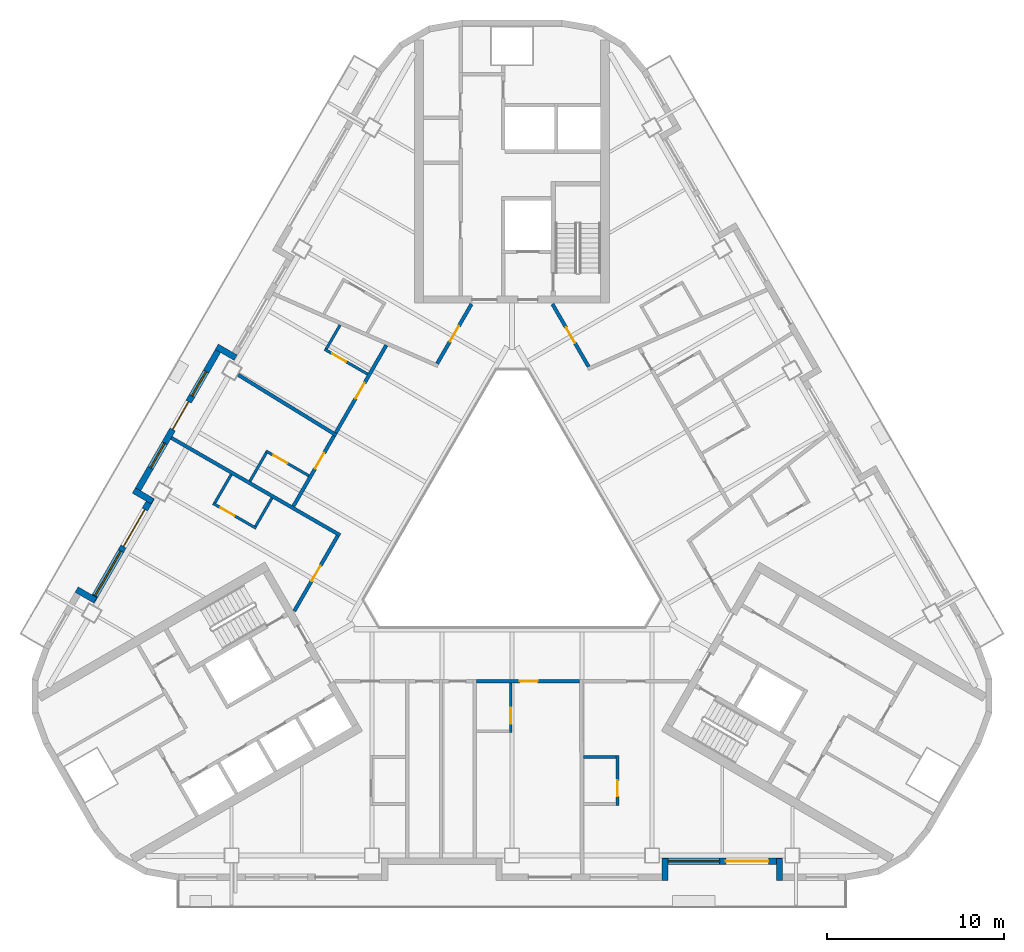
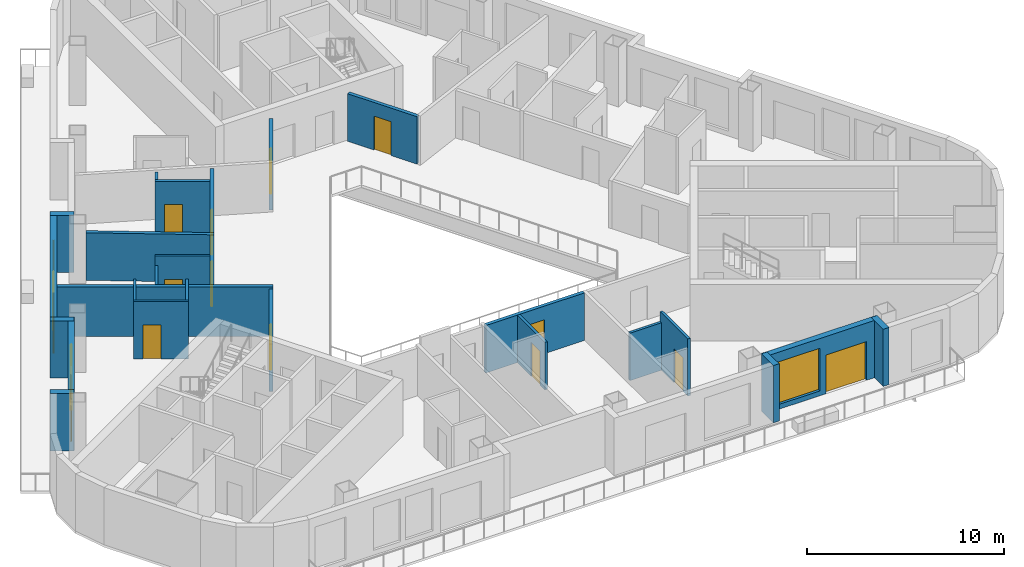
# One storey, part 4 of 14: 26 walls, 14 doors, 4 windows, 18 openings.
"""IFC4 building model written with IfcOpenShell, lengths in metres."""

from ifc_helpers import new_model, si_unit, direction, frame, frame_2d, origin, place, context, subcontext, project, spatial, rectangle, extrude, material, layer, layer_set, type_object, element, fill, save


model = new_model("IFC4")

# Units and contexts
model_context = context("Model", 3, precision=1e-05, world=origin(), true_north=direction((0.0, 1.0)))
body_context = subcontext(model_context, "Body", "Model", "MODEL_VIEW")
ifc_project = project(units=[si_unit("LENGTHUNIT", "METRE"), si_unit("AREAUNIT", "SQUARE_METRE"), si_unit("VOLUMEUNIT", "CUBIC_METRE"), si_unit("PLANEANGLEUNIT", "RADIAN"), si_unit("MASSUNIT", "GRAM", prefix="KILO")], contexts=[model_context])

# Site, building, storey
site_placement = place(None, origin())
site = spatial("IfcSite", under=ifc_project, at=site_placement, CompositionType="ELEMENT")
building_placement = place(site_placement, origin())
building = spatial("IfcBuilding", under=site, at=building_placement, Name="Apuvela Tower Hotel", CompositionType="ELEMENT")
storey_placement = place(building_placement, frame((0.0, 0.0, 179.89990234375)))
storey = spatial("IfcBuildingStorey", under=building, at=storey_placement, Name="L43", CompositionType="ELEMENT", Elevation=179.89990234375)

# Wall
ifc_material_1 = material(Name="Concrete C40/50, dark pigmented precast panel", Category="concrete")
ifc_layer_1 = layer(ifc_material_1, 0.35009765625)
ifc_layer_set_1 = layer_set([ifc_layer_1], Name="ENV-WALL-350")
wall_type_1 = type_object("IfcWallType", Name="ENV-WALL-350", PredefinedType="SOLIDWALL", material=ifc_layer_set_1)
wall_1_placement = place(storey_placement, frame((-15.580810546875, 9.8330078125, 0.0), z_axis=(0.0, 0.0, 1.0), x_axis=(-0.866055662726, 0.499947586314, 0.0)))
element("IfcWall", 1, at=wall_1_placement, inside=storey, type_object=wall_type_1, Name="External wall L43-04", PredefinedType="SOLIDWALL", context=body_context, shape_type="SweptSolid", body=[
    extrude(rectangle(XDim=1.220458984375, YDim=0.35009765625, at=frame_2d((0.6103515625, 0.0))), origin(), (0.0, 0.0, 1.0), 3.550048828125),
])

# Wall, openings, door, windows
wall_2_placement = place(storey_placement, frame((-16.3984375, 10.507080078125, 0.0), z_axis=(0.0, 0.0, 1.0), x_axis=(-0.499999142773, -0.866025898704, 0.0)))
wall_2 = element("IfcWall", 2, at=wall_2_placement, inside=storey, type_object=wall_type_1, Name="External wall L43-05", PredefinedType="SOLIDWALL", context=body_context, shape_type="SweptSolid", body=[
    extrude(rectangle(XDim=9.7001953125, YDim=0.35009765625, at=frame_2d((4.85009765625, 0.0))), origin(), (0.0, 0.0, 1.0), 3.550048828125),
])
opening_1_placement = place(wall_2_placement, frame((3.64990234375, 0.0, 0.0)))
opening_1 = element("IfcOpeningElement", 3, at=opening_1_placement, cuts=wall_2, Name="Opening BD18", PredefinedType="OPENING", context=body_context, shape_type="SweptSolid", body=[
    extrude(rectangle(XDim=1.800048828125, YDim=2.39990234375, at=frame_2d((0.89990234375, 1.199951171875))), frame((0.0, 0.18505859375, 0.0), z_axis=(0.0, -1.0, 0.0), x_axis=(1.0, 0.0, 0.0)), (0.0, 0.0, 1.0), 0.3701171875),
])
opening_2_placement = place(wall_2_placement, frame((1.67529296875, 0.0, 0.300048828125)))
opening_2 = element("IfcOpeningElement", 4, at=opening_2_placement, cuts=wall_2, Name="Opening WN16", PredefinedType="OPENING", context=body_context, shape_type="SweptSolid", body=[
    extrude(rectangle(XDim=1.60009765625, YDim=2.64990234375, at=frame_2d((0.800048828125, 1.324951171875))), frame((0.0, 0.18505859375, 0.0), z_axis=(0.0, -1.0, 0.0), x_axis=(1.0, 0.0, 0.0)), (0.0, 0.0, 1.0), 0.3701171875),
])
opening_3_placement = place(wall_2_placement, frame((6.349853515625, 0.0, 0.300048828125)))
opening_3 = element("IfcOpeningElement", 5, at=opening_3_placement, cuts=wall_2, Name="Opening WN16", PredefinedType="OPENING", context=body_context, shape_type="SweptSolid", body=[
    extrude(rectangle(XDim=1.60009765625, YDim=2.64990234375, at=frame_2d((0.800048828125, 1.324951171875))), frame((0.0, 0.18505859375, 0.0), z_axis=(0.0, -1.0, 0.0), x_axis=(1.0, 0.0, 0.0)), (0.0, 0.0, 1.0), 0.3701171875),
])
ifc_material_2 = material(Name="Aluminium 6063-T6, dark bronze anodised frame with dark tinted laminated glass", Category="aluminium")
door_type_1 = type_object("IfcDoorType", Name="ENV-DOOR-BALCONY-1800x2400", OperationType="SLIDING_TO_LEFT", PredefinedType="DOOR", material=ifc_material_2)
door_1_placement = place(opening_1_placement, frame((1.800048828125, 0.0, 0.0), z_axis=(0.0, 0.0, 1.0), x_axis=(-1.0, 0.0, 0.0)))
door_1 = element("IfcDoor", 6, at=door_1_placement, inside=storey, type_object=door_type_1, Name="Balcony door BD18", OperationType="SLIDING_TO_LEFT", OverallHeight=2.39990234375, OverallWidth=1.800048828125, PredefinedType="DOOR", context=body_context, shape_type="SweptSolid", body=[
    extrude(rectangle(XDim=1.800048828125, YDim=2.39990234375, at=frame_2d((0.89990234375, 1.199951171875))), frame((0.0, 0.02490234375, 0.0), z_axis=(0.0, -1.0, 0.0), x_axis=(1.0, 0.0, 0.0)), (0.0, 0.0, 1.0), 0.050048828125),
])
fill(opening_1, door_1)
ifc_material_3 = material(Name="Glass, dark tinted laminated insulated glazing unit", Category="glass")
window_type_1 = type_object("IfcWindowType", Name="ENV-WIN-1600x2650", PartitioningType="SINGLE_PANEL", PredefinedType="WINDOW", material=ifc_material_3)
window_1_placement = place(opening_2_placement, origin())
window_1 = element("IfcWindow", 7, at=window_1_placement, inside=storey, type_object=window_type_1, Name="Window WN16", OverallHeight=2.64990234375, OverallWidth=1.60009765625, PartitioningType="SINGLE_PANEL", PredefinedType="WINDOW", context=body_context, shape_type="SweptSolid", body=[
    extrude(rectangle(XDim=1.60009765625, YDim=2.64990234375, at=frame_2d((0.800048828125, 1.324951171875))), frame((0.0, 0.030029296875, 0.0), z_axis=(0.0, -1.0, 0.0), x_axis=(1.0, 0.0, 0.0)), (0.0, 0.0, 1.0), 0.06005859375),
])
fill(opening_2, window_1)
window_2_placement = place(opening_3_placement, origin())
window_2 = element("IfcWindow", 8, at=window_2_placement, inside=storey, type_object=window_type_1, Name="Window WN16", OverallHeight=2.64990234375, OverallWidth=1.60009765625, PartitioningType="SINGLE_PANEL", PredefinedType="WINDOW", context=body_context, shape_type="SweptSolid", body=[
    extrude(rectangle(XDim=1.60009765625, YDim=2.64990234375, at=frame_2d((0.800048828125, 1.324951171875))), frame((0.0, 0.030029296875, 0.0), z_axis=(0.0, -1.0, 0.0), x_axis=(1.0, 0.0, 0.0)), (0.0, 0.0, 1.0), 0.06005859375),
])
fill(opening_3, window_2)

# Wall
wall_3_placement = place(storey_placement, frame((-21.3125, 2.345703125, 0.0), z_axis=(0.0, 0.0, 1.0), x_axis=(0.866005645448, -0.500034220881, 0.0)))
element("IfcWall", 9, at=wall_3_placement, inside=storey, type_object=wall_type_1, Name="External wall L43-06", PredefinedType="SOLIDWALL", context=body_context, shape_type="SweptSolid", body=[
    extrude(rectangle(XDim=1.22021484375, YDim=0.35009765625, at=frame_2d((0.610107421875, 0.0))), origin(), (0.0, 0.0, 1.0), 3.550048828125),
])

# Wall, openings, door, window
wall_4_placement = place(storey_placement, frame((-20.30908203125, 1.93359375, 0.0), z_axis=(0.0, 0.0, 1.0), x_axis=(-0.499992114976, -0.866029956157, 0.0)))
wall_4 = element("IfcWall", 10, at=wall_4_placement, inside=storey, type_object=wall_type_1, Name="External wall L43-07", PredefinedType="SOLIDWALL", context=body_context, shape_type="SweptSolid", body=[
    extrude(rectangle(XDim=6.73974609375, YDim=0.35009765625, at=frame_2d((3.369873046875, 0.0))), origin(), (0.0, 0.0, 1.0), 3.550048828125),
])
opening_4_placement = place(wall_4_placement, frame((0.77001953125, 0.0, 0.0)))
opening_4 = element("IfcOpeningElement", 11, at=opening_4_placement, cuts=wall_4, Name="Opening BD24", PredefinedType="OPENING", context=body_context, shape_type="SweptSolid", body=[
    extrude(rectangle(XDim=2.39990234375, YDim=2.39990234375, at=frame_2d((1.199951171875, 1.199951171875))), frame((0.0, 0.18505859375, 0.0), z_axis=(0.0, -1.0, 0.0), x_axis=(1.0, 0.0, 0.0)), (0.0, 0.0, 1.0), 0.3701171875),
])
opening_5_placement = place(wall_4_placement, frame((3.47021484375, 0.0, 0.300048828125)))
opening_5 = element("IfcOpeningElement", 12, at=opening_5_placement, cuts=wall_4, Name="Opening WN29", PredefinedType="OPENING", context=body_context, shape_type="SweptSolid", body=[
    extrude(rectangle(XDim=2.89990234375, YDim=2.64990234375, at=frame_2d((1.449951171875, 1.324951171875))), frame((0.0, 0.18505859375, 0.0), z_axis=(0.0, -1.0, 0.0), x_axis=(1.0, 0.0, 0.0)), (0.0, 0.0, 1.0), 0.3701171875),
])
door_type_2 = type_object("IfcDoorType", Name="ENV-DOOR-BALCONY-2400x2400", OperationType="SLIDING_TO_LEFT", PredefinedType="DOOR", material=ifc_material_2)
door_2_placement = place(opening_4_placement, frame((2.39990234375, 0.0, 0.0), z_axis=(0.0, 0.0, 1.0), x_axis=(-1.0, 0.0, 0.0)))
door_2 = element("IfcDoor", 13, at=door_2_placement, inside=storey, type_object=door_type_2, Name="Balcony door BD24", OperationType="SLIDING_TO_LEFT", OverallHeight=2.39990234375, OverallWidth=2.39990234375, PredefinedType="DOOR", context=body_context, shape_type="SweptSolid", body=[
    extrude(rectangle(XDim=2.39990234375, YDim=2.39990234375, at=frame_2d((1.199951171875, 1.199951171875))), frame((0.0, 0.02490234375, 0.0), z_axis=(0.0, -1.0, 0.0), x_axis=(1.0, 0.0, 0.0)), (0.0, 0.0, 1.0), 0.050048828125),
])
fill(opening_4, door_2)
window_type_2 = type_object("IfcWindowType", Name="ENV-WIN-2900x2650", PartitioningType="SINGLE_PANEL", PredefinedType="WINDOW", material=ifc_material_3)
window_3_placement = place(opening_5_placement, origin())
window_3 = element("IfcWindow", 14, at=window_3_placement, inside=storey, type_object=window_type_2, Name="Window WN29", OverallHeight=2.64990234375, OverallWidth=2.89990234375, PartitioningType="SINGLE_PANEL", PredefinedType="WINDOW", context=body_context, shape_type="SweptSolid", body=[
    extrude(rectangle(XDim=2.89990234375, YDim=2.64990234375, at=frame_2d((1.449951171875, 1.324951171875))), frame((0.0, 0.030029296875, 0.0), z_axis=(0.0, -1.0, 0.0), x_axis=(1.0, 0.0, 0.0)), (0.0, 0.0, 1.0), 0.06005859375),
])
fill(opening_5, window_3)

# Walls
for number, where, z_axis, x_axis, name in (
    (15, (-23.48095703125, -3.85009765625, 0.0), (0.0, 0.0, 1.0), (-0.866092288191, 0.499884134912, 0.0), "External wall L43-08"),
    (16, (8.625, -19.6298828125, 0.0), (0.0, 0.0, 1.0), (0.0, 1.0, 0.0), "External wall L43-22"),
):
    element("IfcWall", number, at=place(storey_placement, frame(where, z_axis=z_axis, x_axis=x_axis)), inside=storey, type_object=wall_type_1, Name=name, PredefinedType="SOLIDWALL", context=body_context, shape_type="SweptSolid", body=[
        extrude(rectangle(XDim=1.219970703125, YDim=0.35009765625, at=frame_2d((0.60986328125, 0.0))), origin(), (0.0, 0.0, 1.0), 3.550048828125),
    ])

# Wall, openings, door, window
wall_5_placement = place(storey_placement, frame((8.47998046875, -18.554931640625, 0.0), z_axis=(0.0, 0.0, 1.0), x_axis=(1.0, 0.0, 0.0)))
wall_5 = element("IfcWall", 17, at=wall_5_placement, inside=storey, type_object=wall_type_1, Name="External wall L43-23", PredefinedType="SOLIDWALL", context=body_context, shape_type="SweptSolid", body=[
    extrude(rectangle(XDim=6.739990234375, YDim=0.35009765625, at=frame_2d((3.3701171875, 0.0))), origin(), (0.0, 0.0, 1.0), 3.550048828125),
])
opening_6_placement = place(wall_5_placement, frame((3.570068359375, 0.0, 0.0)))
opening_6 = element("IfcOpeningElement", 18, at=opening_6_placement, cuts=wall_5, Name="Opening BD24", PredefinedType="OPENING", context=body_context, shape_type="SweptSolid", body=[
    extrude(rectangle(XDim=2.39990234375, YDim=2.39990234375, at=frame_2d((1.199951171875, 1.199951171875))), frame((0.0, 0.18505859375, 0.0), z_axis=(0.0, -1.0, 0.0), x_axis=(1.0, 0.0, 0.0)), (0.0, 0.0, 1.0), 0.3701171875),
])
opening_7_placement = place(wall_5_placement, frame((0.3203125, 0.0, 0.300048828125)))
opening_7 = element("IfcOpeningElement", 19, at=opening_7_placement, cuts=wall_5, Name="Opening WN29", PredefinedType="OPENING", context=body_context, shape_type="SweptSolid", body=[
    extrude(rectangle(XDim=2.89990234375, YDim=2.64990234375, at=frame_2d((1.449951171875, 1.324951171875))), frame((0.0, 0.18505859375, 0.0), z_axis=(0.0, -1.0, 0.0), x_axis=(1.0, 0.0, 0.0)), (0.0, 0.0, 1.0), 0.3701171875),
])
door_3_placement = place(opening_6_placement, frame((2.39990234375, 0.0, 0.0), z_axis=(0.0, 0.0, 1.0), x_axis=(-1.0, 0.0, 0.0)))
door_3 = element("IfcDoor", 20, at=door_3_placement, inside=storey, type_object=door_type_2, Name="Balcony door BD24", OperationType="SLIDING_TO_LEFT", OverallHeight=2.39990234375, OverallWidth=2.39990234375, PredefinedType="DOOR", context=body_context, shape_type="SweptSolid", body=[
    extrude(rectangle(XDim=2.39990234375, YDim=2.39990234375, at=frame_2d((1.199951171875, 1.199951171875))), frame((0.0, 0.02490234375, 0.0), z_axis=(0.0, -1.0, 0.0), x_axis=(1.0, 0.0, 0.0)), (0.0, 0.0, 1.0), 0.050048828125),
])
fill(opening_6, door_3)
window_4_placement = place(opening_7_placement, origin())
window_4 = element("IfcWindow", 21, at=window_4_placement, inside=storey, type_object=window_type_2, Name="Window WN29", OverallHeight=2.64990234375, OverallWidth=2.89990234375, PartitioningType="SINGLE_PANEL", PredefinedType="WINDOW", context=body_context, shape_type="SweptSolid", body=[
    extrude(rectangle(XDim=2.89990234375, YDim=2.64990234375, at=frame_2d((1.449951171875, 1.324951171875))), frame((0.0, 0.030029296875, 0.0), z_axis=(0.0, -1.0, 0.0), x_axis=(1.0, 0.0, 0.0)), (0.0, 0.0, 1.0), 0.06005859375),
])
fill(opening_7, window_4)

# Walls
wall_6_placement = place(storey_placement, frame((15.074951171875, -18.409912109375, 0.0), z_axis=(0.0, 0.0, 1.0), x_axis=(0.0, -1.0, 0.0)))
element("IfcWall", 22, at=wall_6_placement, inside=storey, type_object=wall_type_1, Name="External wall L43-24", PredefinedType="SOLIDWALL", context=body_context, shape_type="SweptSolid", body=[
    extrude(rectangle(XDim=1.219970703125, YDim=0.35009765625, at=frame_2d((0.60986328125, 0.0))), origin(), (0.0, 0.0, 1.0), 3.550048828125),
])
ifc_material_4 = material(Name="Gypsum board partition on twin steel stud", Category="steel")
ifc_layer_2 = layer(ifc_material_4, 0.199951171875)
ifc_layer_set_2 = layer_set([ifc_layer_2], Name="GST-PW1")
wall_type_2 = type_object("IfcWallType", Name="GST-PW1", PredefinedType="PARTITIONING", material=ifc_layer_set_2)
wall_7_placement = place(storey_placement, frame((-15.440185546875, 8.866943359375, 0.0), z_axis=(0.0, 0.0, 1.0), x_axis=(0.851787104886, -0.523888087237, 0.0)))
element("IfcWall", 23, at=wall_7_placement, inside=storey, type_object=wall_type_2, Name="L43 partition 08", PredefinedType="PARTITIONING", context=body_context, shape_type="SweptSolid", body=[
    extrude(rectangle(XDim=6.507568359375, YDim=0.199951171875, at=frame_2d((3.25390625, 0.0))), origin(), (0.0, 0.0, 1.0), 2.9501953125),
])
wall_8_placement = place(storey_placement, frame((-19.197021484375, 5.309814453125, 0.0), z_axis=(0.0, 0.0, 1.0), x_axis=(0.866027479907, -0.499996404033, 0.0)))
element("IfcWall", 24, at=wall_8_placement, inside=storey, type_object=wall_type_2, Name="L43 partition 09", PredefinedType="PARTITIONING", context=body_context, shape_type="SweptSolid", body=[
    extrude(rectangle(XDim=10.97998046875, YDim=0.199951171875, at=frame_2d((5.489990234375, 0.0))), origin(), (0.0, 0.0, 1.0), 3.06005859375),
])

# Wall, opening, door
ifc_material_5 = material(Name="Gypsum board corridor wall on twin steel stud, acoustic", Category="steel")
ifc_layer_3 = layer(ifc_material_5, 0.199951171875)
ifc_layer_set_3 = layer_set([ifc_layer_3], Name="GST-PW2")
wall_type_3 = type_object("IfcWallType", Name="GST-PW2", PredefinedType="PARTITIONING", material=ifc_layer_set_3)
wall_9_placement = place(storey_placement, frame((3.799560546875, -8.39990234375, 0.0), z_axis=(0.0, 0.0, 1.0), x_axis=(-1.0, 0.0, 0.0)))
wall_9 = element("IfcWall", 25, at=wall_9_placement, inside=storey, type_object=wall_type_3, Name="L43 partition 17", PredefinedType="PARTITIONING", context=body_context, shape_type="SweptSolid", body=[
    extrude(rectangle(XDim=5.799560546875, YDim=0.199951171875, at=frame_2d((2.89990234375, 0.0))), origin(), (0.0, 0.0, 1.0), 2.9501953125),
])
opening_8_placement = place(wall_9_placement, frame((2.349609375, 0.0, 0.0)))
opening_8 = element("IfcOpeningElement", 26, at=opening_8_placement, cuts=wall_9, Name="Opening GD16-06", PredefinedType="OPENING", context=body_context, shape_type="SweptSolid", body=[
    extrude(rectangle(XDim=1.0, YDim=2.10009765625, at=frame_2d((0.5, 1.050048828125))), frame((0.0, 0.10986328125, 0.0), z_axis=(0.0, -1.0, 0.0), x_axis=(1.0, 0.0, 0.0)), (0.0, 0.0, 1.0), 0.219970703125),
])
ifc_material_6 = material(Name="Timber door leaf in steel frame", Category="steel")
door_type_3 = type_object("IfcDoorType", Name="GST-D1", OperationType="NOTDEFINED", PredefinedType="DOOR", material=ifc_material_6)
door_4_placement = place(opening_8_placement, origin())
door_4 = element("IfcDoor", 27, at=door_4_placement, inside=storey, type_object=door_type_3, Name="Door L43-06", OperationType="SINGLE_SWING_LEFT", OverallHeight=2.10009765625, OverallWidth=1.0, PredefinedType="DOOR", context=body_context, shape_type="SweptSolid", body=[
    extrude(rectangle(XDim=1.0, YDim=2.10009765625, at=frame_2d((0.5, 1.050048828125))), frame((0.0, 0.02490234375, 0.0), z_axis=(0.0, -1.0, 0.0), x_axis=(1.0, 0.0, 0.0)), (0.0, 0.0, 1.0), 0.050048828125),
])
fill(opening_8, door_4)

wall_10_placement = place(storey_placement, frame((2.280517578125, 12.85009765625, 0.0), z_axis=(0.0, 0.0, 1.0), x_axis=(0.499971273698, -0.866041988288, 0.0)))
wall_10 = element("IfcWall", 28, at=wall_10_placement, inside=storey, type_object=wall_type_3, Name="L43 partition 34", PredefinedType="PARTITIONING", context=body_context, shape_type="SweptSolid", body=[
    extrude(rectangle(XDim=4.076904296875, YDim=0.199951171875, at=frame_2d((2.03857421875, 0.0))), origin(), (0.0, 0.0, 1.0), 2.9501953125),
])
opening_9_placement = place(wall_10_placement, frame((1.538330078125, 0.0, 0.0)))
opening_9 = element("IfcOpeningElement", 29, at=opening_9_placement, cuts=wall_10, Name="Opening GD16-16", PredefinedType="OPENING", context=body_context, shape_type="SweptSolid", body=[
    extrude(rectangle(XDim=1.0, YDim=2.10009765625, at=frame_2d((0.5, 1.050048828125))), frame((0.0, 0.10986328125, 0.0), z_axis=(0.0, -1.0, 0.0), x_axis=(1.0, 0.0, 0.0)), (0.0, 0.0, 1.0), 0.219970703125),
])
door_5_placement = place(opening_9_placement, origin())
door_5 = element("IfcDoor", 30, at=door_5_placement, inside=storey, type_object=door_type_3, Name="Door L43-16", OperationType="SINGLE_SWING_RIGHT", OverallHeight=2.10009765625, OverallWidth=1.0, PredefinedType="DOOR", context=body_context, shape_type="SweptSolid", body=[
    extrude(rectangle(XDim=1.0, YDim=2.10009765625, at=frame_2d((0.5, 1.050048828125))), frame((0.0, 0.02490234375, 0.0), z_axis=(0.0, -1.0, 0.0), x_axis=(1.0, 0.0, 0.0)), (0.0, 0.0, 1.0), 0.050048828125),
])
fill(opening_9, door_5)

wall_11_placement = place(storey_placement, frame((-4.21875, 9.492919921875, 0.0), z_axis=(0.0, 0.0, 1.0), x_axis=(0.499993219391, 0.866029318535, 0.0)))
wall_11 = element("IfcWall", 31, at=wall_11_placement, inside=storey, type_object=wall_type_3, Name="L43 partition 38", PredefinedType="PARTITIONING", context=body_context, shape_type="SweptSolid", body=[
    extrude(rectangle(XDim=3.87646484375, YDim=0.199951171875, at=frame_2d((1.938232421875, 0.0))), origin(), (0.0, 0.0, 1.0), 2.9501953125),
])
opening_10_placement = place(wall_11_placement, frame((1.438232421875, 0.0, 0.0)))
opening_10 = element("IfcOpeningElement", 32, at=opening_10_placement, cuts=wall_11, Name="Opening GD16-18", PredefinedType="OPENING", context=body_context, shape_type="SweptSolid", body=[
    extrude(rectangle(XDim=1.0, YDim=2.10009765625, at=frame_2d((0.5, 1.050048828125))), frame((0.0, 0.10986328125, 0.0), z_axis=(0.0, -1.0, 0.0), x_axis=(1.0, 0.0, 0.0)), (0.0, 0.0, 1.0), 0.219970703125),
])
door_6_placement = place(opening_10_placement, origin())
door_6 = element("IfcDoor", 33, at=door_6_placement, inside=storey, type_object=door_type_3, Name="Door L43-18", OperationType="SINGLE_SWING_LEFT", OverallHeight=2.10009765625, OverallWidth=1.0, PredefinedType="DOOR", context=body_context, shape_type="SweptSolid", body=[
    extrude(rectangle(XDim=1.0, YDim=2.10009765625, at=frame_2d((0.5, 1.050048828125))), frame((0.0, 0.02490234375, 0.0), z_axis=(0.0, -1.0, 0.0), x_axis=(1.0, 0.0, 0.0)), (0.0, 0.0, 1.0), 0.050048828125),
])
fill(opening_10, door_6)

wall_12_placement = place(storey_placement, frame((-9.932373046875, 5.5966796875, 0.0), z_axis=(0.0, 0.0, 1.0), x_axis=(0.500006916967, 0.866021410235, 0.0)))
wall_12 = element("IfcWall", 34, at=wall_12_placement, inside=storey, type_object=wall_type_3, Name="L43 partition 42", PredefinedType="PARTITIONING", context=body_context, shape_type="SweptSolid", body=[
    extrude(rectangle(XDim=5.69580078125, YDim=0.199951171875, at=frame_2d((2.847900390625, 0.0))), origin(), (0.0, 0.0, 1.0), 2.9501953125),
])
opening_11_placement = place(wall_12_placement, frame((2.234619140625, 0.0, 0.0)))
opening_11 = element("IfcOpeningElement", 35, at=opening_11_placement, cuts=wall_12, Name="Opening GD16-20", PredefinedType="OPENING", context=body_context, shape_type="SweptSolid", body=[
    extrude(rectangle(XDim=1.0, YDim=2.10009765625, at=frame_2d((0.5, 1.050048828125))), frame((0.0, 0.10986328125, 0.0), z_axis=(0.0, -1.0, 0.0), x_axis=(1.0, 0.0, 0.0)), (0.0, 0.0, 1.0), 0.219970703125),
])
door_7_placement = place(opening_11_placement, origin())
door_7 = element("IfcDoor", 36, at=door_7_placement, inside=storey, type_object=door_type_3, Name="Door L43-20", OperationType="SINGLE_SWING_LEFT", OverallHeight=2.10009765625, OverallWidth=1.0, PredefinedType="DOOR", context=body_context, shape_type="SweptSolid", body=[
    extrude(rectangle(XDim=1.0, YDim=2.10009765625, at=frame_2d((0.5, 1.050048828125))), frame((0.0, 0.02490234375, 0.0), z_axis=(0.0, -1.0, 0.0), x_axis=(1.0, 0.0, 0.0)), (0.0, 0.0, 1.0), 0.050048828125),
])
fill(opening_11, door_7)

wall_13_placement = place(storey_placement, frame((-12.32275390625, 1.45654296875, 0.0), z_axis=(0.0, 0.0, 1.0), x_axis=(0.500008507724, 0.866020491792, 0.0)))
wall_13 = element("IfcWall", 37, at=wall_13_placement, inside=storey, type_object=wall_type_3, Name="L43 partition 45", PredefinedType="PARTITIONING", context=body_context, shape_type="SweptSolid", body=[
    extrude(rectangle(XDim=4.58056640625, YDim=0.199951171875, at=frame_2d((2.290283203125, 0.0))), origin(), (0.0, 0.0, 1.0), 2.9501953125),
])
opening_12_placement = place(wall_13_placement, frame((2.449951171875, 0.0, 0.0)))
opening_12 = element("IfcOpeningElement", 38, at=opening_12_placement, cuts=wall_13, Name="Opening GD16-22", PredefinedType="OPENING", context=body_context, shape_type="SweptSolid", body=[
    extrude(rectangle(XDim=1.0, YDim=2.10009765625, at=frame_2d((0.5, 1.050048828125))), frame((0.0, 0.10986328125, 0.0), z_axis=(0.0, -1.0, 0.0), x_axis=(1.0, 0.0, 0.0)), (0.0, 0.0, 1.0), 0.219970703125),
])
door_8_placement = place(opening_12_placement, origin())
door_8 = element("IfcDoor", 39, at=door_8_placement, inside=storey, type_object=door_type_3, Name="Door L43-22", OperationType="SINGLE_SWING_RIGHT", OverallHeight=2.10009765625, OverallWidth=1.0, PredefinedType="DOOR", context=body_context, shape_type="SweptSolid", body=[
    extrude(rectangle(XDim=1.0, YDim=2.10009765625, at=frame_2d((0.5, 1.050048828125))), frame((0.0, 0.02490234375, 0.0), z_axis=(0.0, -1.0, 0.0), x_axis=(1.0, 0.0, 0.0)), (0.0, 0.0, 1.0), 0.050048828125),
])
fill(opening_12, door_8)

wall_14_placement = place(storey_placement, frame((-12.268798828125, -4.449951171875, 0.0), z_axis=(0.0, 0.0, 1.0), x_axis=(0.500012125002, 0.866018403298, 0.0)))
wall_14 = element("IfcWall", 40, at=wall_14_placement, inside=storey, type_object=wall_type_3, Name="L43 partition 48", PredefinedType="PARTITIONING", context=body_context, shape_type="SweptSolid", body=[
    extrude(rectangle(XDim=4.88818359375, YDim=0.199951171875, at=frame_2d((2.444091796875, 0.0))), origin(), (0.0, 0.0, 1.0), 2.9501953125),
])
opening_13_placement = place(wall_14_placement, frame((1.944091796875, 0.0, 0.0)))
opening_13 = element("IfcOpeningElement", 41, at=opening_13_placement, cuts=wall_14, Name="Opening GD16-24", PredefinedType="OPENING", context=body_context, shape_type="SweptSolid", body=[
    extrude(rectangle(XDim=1.0, YDim=2.10009765625, at=frame_2d((0.5, 1.050048828125))), frame((0.0, 0.10986328125, 0.0), z_axis=(0.0, -1.0, 0.0), x_axis=(1.0, 0.0, 0.0)), (0.0, 0.0, 1.0), 0.219970703125),
])
door_9_placement = place(opening_13_placement, origin())
door_9 = element("IfcDoor", 42, at=door_9_placement, inside=storey, type_object=door_type_3, Name="Door L43-24", OperationType="SINGLE_SWING_RIGHT", OverallHeight=2.10009765625, OverallWidth=1.0, PredefinedType="DOOR", context=body_context, shape_type="SweptSolid", body=[
    extrude(rectangle(XDim=1.0, YDim=2.10009765625, at=frame_2d((0.5, 1.050048828125))), frame((0.0, 0.02490234375, 0.0), z_axis=(0.0, -1.0, 0.0), x_axis=(1.0, 0.0, 0.0)), (0.0, 0.0, 1.0), 0.050048828125),
])
fill(opening_13, door_9)

ifc_material_7 = material(Name="Moisture-resistant gypsum board wet wall on steel stud", Category="steel")
ifc_layer_4 = layer(ifc_material_7, 0.14990234375)
ifc_layer_set_4 = layer_set([ifc_layer_4], Name="GST-PW3")
wall_type_4 = type_object("IfcWallType", Name="GST-PW3", PredefinedType="PARTITIONING", material=ifc_layer_set_4)
wall_15_placement = place(storey_placement, frame((-0.074951171875, -11.300048828125, 0.0), z_axis=(0.0, 0.0, 1.0), x_axis=(0.0, 1.0, 0.0)))
wall_15 = element("IfcWall", 43, at=wall_15_placement, inside=storey, type_object=wall_type_4, Name="L43 partition 18", PredefinedType="PARTITIONING", context=body_context, shape_type="SweptSolid", body=[
    extrude(rectangle(XDim=2.800048828125, YDim=0.14990234375, at=frame_2d((1.39990234375, 0.0))), origin(), (0.0, 0.0, 1.0), 2.9501953125),
])
opening_14_placement = place(wall_15_placement, frame((0.5, 0.0, 0.0)))
opening_14 = element("IfcOpeningElement", 44, at=opening_14_placement, cuts=wall_15, Name="Opening GD16-05", PredefinedType="OPENING", context=body_context, shape_type="SweptSolid", body=[
    extrude(rectangle(XDim=0.89990234375, YDim=2.10009765625, at=frame_2d((0.449951171875, 1.050048828125))), frame((0.0, 0.0849609375, 0.0), z_axis=(0.0, -1.0, 0.0), x_axis=(1.0, 0.0, 0.0)), (0.0, 0.0, 1.0), 0.169921875),
])
door_type_4 = type_object("IfcDoorType", Name="GST-D2", OperationType="NOTDEFINED", PredefinedType="DOOR", material=ifc_material_6)
door_10_placement = place(opening_14_placement, origin())
door_10 = element("IfcDoor", 45, at=door_10_placement, inside=storey, type_object=door_type_4, Name="Door L43-05", OperationType="SINGLE_SWING_LEFT", OverallHeight=2.10009765625, OverallWidth=0.89990234375, PredefinedType="DOOR", context=body_context, shape_type="SweptSolid", body=[
    extrude(rectangle(XDim=0.89990234375, YDim=2.10009765625, at=frame_2d((0.449951171875, 1.050048828125))), frame((0.0, 0.02490234375, 0.0), z_axis=(0.0, -1.0, 0.0), x_axis=(1.0, 0.0, 0.0)), (0.0, 0.0, 1.0), 0.050048828125),
])
fill(opening_14, door_10)

wall_16_placement = place(storey_placement, frame((5.944091796875, -15.39990234375, 0.0), z_axis=(0.0, 0.0, 1.0), x_axis=(0.0, 1.0, 0.0)))
wall_16 = element("IfcWall", 46, at=wall_16_placement, inside=storey, type_object=wall_type_4, Name="L43 partition 21", PredefinedType="PARTITIONING", context=body_context, shape_type="SweptSolid", body=[
    extrude(rectangle(XDim=2.7998046875, YDim=0.14990234375, at=frame_2d((1.39990234375, 0.0))), origin(), (0.0, 0.0, 1.0), 3.550048828125),
])
opening_15_placement = place(wall_16_placement, frame((0.5, 0.0, 0.0)))
opening_15 = element("IfcOpeningElement", 47, at=opening_15_placement, cuts=wall_16, Name="Opening GD16-07", PredefinedType="OPENING", context=body_context, shape_type="SweptSolid", body=[
    extrude(rectangle(XDim=0.89990234375, YDim=2.10009765625, at=frame_2d((0.449951171875, 1.050048828125))), frame((0.0, 0.0849609375, 0.0), z_axis=(0.0, -1.0, 0.0), x_axis=(1.0, 0.0, 0.0)), (0.0, 0.0, 1.0), 0.169921875),
])
door_11_placement = place(opening_15_placement, origin())
door_11 = element("IfcDoor", 48, at=door_11_placement, inside=storey, type_object=door_type_4, Name="Door L43-07", OperationType="SINGLE_SWING_LEFT", OverallHeight=2.10009765625, OverallWidth=0.89990234375, PredefinedType="DOOR", context=body_context, shape_type="SweptSolid", body=[
    extrude(rectangle(XDim=0.89990234375, YDim=2.10009765625, at=frame_2d((0.449951171875, 1.050048828125))), frame((0.0, 0.02490234375, 0.0), z_axis=(0.0, -1.0, 0.0), x_axis=(1.0, 0.0, 0.0)), (0.0, 0.0, 1.0), 0.050048828125),
])
fill(opening_15, door_11)

# Wall
wall_17_placement = place(storey_placement, frame((4.019287109375, -12.675048828125, 0.0), z_axis=(0.0, 0.0, 1.0), x_axis=(1.0, 0.0, 0.0)))
element("IfcWall", 49, at=wall_17_placement, inside=storey, type_object=wall_type_4, Name="L43 partition 23", PredefinedType="PARTITIONING", context=body_context, shape_type="SweptSolid", body=[
    extrude(rectangle(XDim=1.849609375, YDim=0.14990234375, at=frame_2d((0.9248046875, 0.0))), origin(), (0.0, 0.0, 1.0), 2.9501953125),
])

# Wall, opening, door
wall_18_placement = place(storey_placement, frame((-10.56396484375, 10.302734375, 0.0), z_axis=(0.0, 0.0, 1.0), x_axis=(0.865996816683, -0.500049511043, 0.0)))
wall_18 = element("IfcWall", 50, at=wall_18_placement, inside=storey, type_object=wall_type_4, Name="L43 partition 43", PredefinedType="PARTITIONING", context=body_context, shape_type="SweptSolid", body=[
    extrude(rectangle(XDim=2.800048828125, YDim=0.14990234375, at=frame_2d((1.39990234375, 0.0))), origin(), (0.0, 0.0, 1.0), 3.550048828125),
])
opening_16_placement = place(wall_18_placement, frame((0.5, 0.0, 0.0)))
opening_16 = element("IfcOpeningElement", 51, at=opening_16_placement, cuts=wall_18, Name="Opening GD16-19", PredefinedType="OPENING", context=body_context, shape_type="SweptSolid", body=[
    extrude(rectangle(XDim=0.89990234375, YDim=2.10009765625, at=frame_2d((0.449951171875, 1.050048828125))), frame((0.0, 0.0849609375, 0.0), z_axis=(0.0, -1.0, 0.0), x_axis=(1.0, 0.0, 0.0)), (0.0, 0.0, 1.0), 0.169921875),
])
door_12_placement = place(opening_16_placement, origin())
door_12 = element("IfcDoor", 52, at=door_12_placement, inside=storey, type_object=door_type_4, Name="Door L43-19", OperationType="SINGLE_SWING_LEFT", OverallHeight=2.10009765625, OverallWidth=0.89990234375, PredefinedType="DOOR", context=body_context, shape_type="SweptSolid", body=[
    extrude(rectangle(XDim=0.89990234375, YDim=2.10009765625, at=frame_2d((0.449951171875, 1.050048828125))), frame((0.0, 0.02490234375, 0.0), z_axis=(0.0, -1.0, 0.0), x_axis=(1.0, 0.0, 0.0)), (0.0, 0.0, 1.0), 0.050048828125),
])
fill(opening_16, door_12)

# Wall
wall_19_placement = place(storey_placement, frame((-9.688232421875, 11.669677734375, 0.0), z_axis=(0.0, 0.0, 1.0), x_axis=(-0.499890974144, -0.866088340742, 0.0)))
element("IfcWall", 53, at=wall_19_placement, inside=storey, type_object=wall_type_4, Name="L43 partition 44", PredefinedType="PARTITIONING", context=body_context, shape_type="SweptSolid", body=[
    extrude(rectangle(XDim=1.546630859375, YDim=0.14990234375, at=frame_2d((0.7734375, 0.0))), origin(), (0.0, 0.0, 1.0), 2.9501953125),
])

# Wall, opening, door
wall_20_placement = place(storey_placement, frame((-11.44677734375, 3.173583984375, 0.0), z_axis=(0.0, 0.0, 1.0), x_axis=(-0.866034573852, 0.49998411664, 0.0)))
wall_20 = element("IfcWall", 54, at=wall_20_placement, inside=storey, type_object=wall_type_4, Name="L43 partition 46", PredefinedType="PARTITIONING", context=body_context, shape_type="SweptSolid", body=[
    extrude(rectangle(XDim=2.7998046875, YDim=0.14990234375, at=frame_2d((1.39990234375, 0.0))), origin(), (0.0, 0.0, 1.0), 3.550048828125),
])
opening_17_placement = place(wall_20_placement, frame((1.39990234375, 0.0, 0.0)))
opening_17 = element("IfcOpeningElement", 55, at=opening_17_placement, cuts=wall_20, Name="Opening GD16-21", PredefinedType="OPENING", context=body_context, shape_type="SweptSolid", body=[
    extrude(rectangle(XDim=0.89990234375, YDim=2.10009765625, at=frame_2d((0.449951171875, 1.050048828125))), frame((0.0, 0.0849609375, 0.0), z_axis=(0.0, -1.0, 0.0), x_axis=(1.0, 0.0, 0.0)), (0.0, 0.0, 1.0), 0.169921875),
])
door_13_placement = place(opening_17_placement, origin())
door_13 = element("IfcDoor", 56, at=door_13_placement, inside=storey, type_object=door_type_4, Name="Door L43-21", OperationType="SINGLE_SWING_RIGHT", OverallHeight=2.10009765625, OverallWidth=0.89990234375, PredefinedType="DOOR", context=body_context, shape_type="SweptSolid", body=[
    extrude(rectangle(XDim=0.89990234375, YDim=2.10009765625, at=frame_2d((0.449951171875, 1.050048828125))), frame((0.0, 0.02490234375, 0.0), z_axis=(0.0, -1.0, 0.0), x_axis=(1.0, 0.0, 0.0)), (0.0, 0.0, 1.0), 0.050048828125),
])
fill(opening_17, door_13)

# Wall
wall_21_placement = place(storey_placement, frame((-13.84423828125, 4.47119140625, 0.0), z_axis=(0.0, 0.0, 1.0), x_axis=(-0.499985172903, -0.866033964044, 0.0)))
element("IfcWall", 57, at=wall_21_placement, inside=storey, type_object=wall_type_4, Name="L43 partition 47", PredefinedType="PARTITIONING", context=body_context, shape_type="SweptSolid", body=[
    extrude(rectangle(XDim=1.85009765625, YDim=0.14990234375, at=frame_2d((0.925048828125, 0.0))), origin(), (0.0, 0.0, 1.0), 2.9501953125),
])

# Wall, opening, door
wall_22_placement = place(storey_placement, frame((-16.849365234375, 1.6162109375, 0.0), z_axis=(0.0, 0.0, 1.0), x_axis=(0.866056369097, -0.49994636267, 0.0)))
wall_22 = element("IfcWall", 58, at=wall_22_placement, inside=storey, type_object=wall_type_4, Name="L43 partition 49", PredefinedType="PARTITIONING", context=body_context, shape_type="SweptSolid", body=[
    extrude(rectangle(XDim=2.800048828125, YDim=0.14990234375, at=frame_2d((1.39990234375, 0.0))), origin(), (0.0, 0.0, 1.0), 3.550048828125),
])
opening_18_placement = place(wall_22_placement, frame((0.5, 0.0, 0.0)))
opening_18 = element("IfcOpeningElement", 59, at=opening_18_placement, cuts=wall_22, Name="Opening GD16-23", PredefinedType="OPENING", context=body_context, shape_type="SweptSolid", body=[
    extrude(rectangle(XDim=0.89990234375, YDim=2.10009765625, at=frame_2d((0.449951171875, 1.050048828125))), frame((0.0, 0.0849609375, 0.0), z_axis=(0.0, -1.0, 0.0), x_axis=(1.0, 0.0, 0.0)), (0.0, 0.0, 1.0), 0.169921875),
])
door_14_placement = place(opening_18_placement, origin())
door_14 = element("IfcDoor", 60, at=door_14_placement, inside=storey, type_object=door_type_4, Name="Door L43-23", OperationType="SINGLE_SWING_LEFT", OverallHeight=2.10009765625, OverallWidth=0.89990234375, PredefinedType="DOOR", context=body_context, shape_type="SweptSolid", body=[
    extrude(rectangle(XDim=0.89990234375, YDim=2.10009765625, at=frame_2d((0.449951171875, 1.050048828125))), frame((0.0, 0.02490234375, 0.0), z_axis=(0.0, -1.0, 0.0), x_axis=(1.0, 0.0, 0.0)), (0.0, 0.0, 1.0), 0.050048828125),
])
fill(opening_18, door_14)

# Walls
for number, where, z_axis, x_axis, name in (
    (61, (-15.82177734375, 3.245849609375, 0.0), (0.0, 0.0, 1.0), (-0.499985172903, -0.866033964044, 0.0), "L43 partition 50"),
    (62, (-13.52685546875, 1.9208984375, 0.0), (0.0, 0.0, 1.0), (-0.499985172903, -0.866033964044, 0.0), "L43 partition 51"),
):
    element("IfcWall", number, at=place(storey_placement, frame(where, z_axis=z_axis, x_axis=x_axis)), inside=storey, type_object=wall_type_4, Name=name, PredefinedType="PARTITIONING", context=body_context, shape_type="SweptSolid", body=[
        extrude(rectangle(XDim=1.85009765625, YDim=0.14990234375, at=frame_2d((0.925048828125, 0.0))), origin(), (0.0, 0.0, 1.0), 3.550048828125),
    ])

save(model, "model.ifc")
